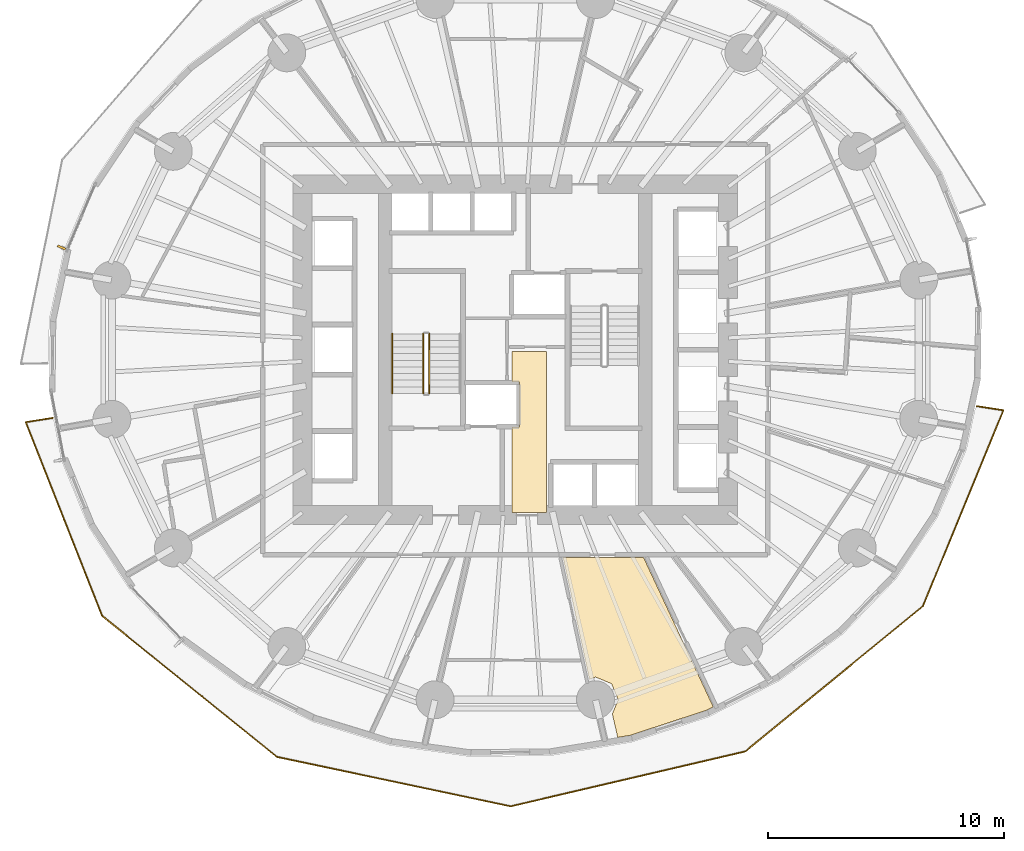
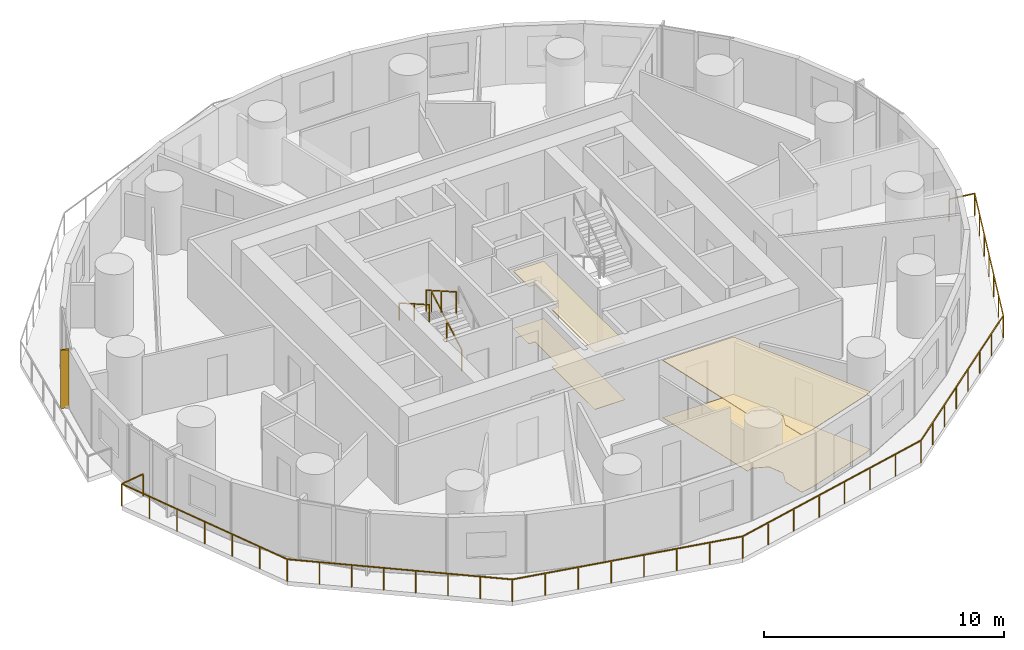
# One storey, part 12 of 14: 4 coverings, 4 railings, 1 shading device.
"""IFC4 building model written with IfcOpenShell, lengths in metres."""

from ifc_helpers import new_model, si_unit, direction, frame, origin, origin_2d, place, context, subcontext, project, spatial, polyline, rectangle, outline, extrude, material, layer, layer_set, type_object, element, save


model = new_model("IFC4")

# Units and contexts
model_context = context("Model", 3, precision=1e-05, world=origin(), true_north=direction((0.0, 1.0)))
body_context = subcontext(model_context, "Body", "Model", "MODEL_VIEW")
ifc_project = project(units=[si_unit("LENGTHUNIT", "METRE"), si_unit("AREAUNIT", "SQUARE_METRE"), si_unit("VOLUMEUNIT", "CUBIC_METRE"), si_unit("PLANEANGLEUNIT", "RADIAN"), si_unit("MASSUNIT", "GRAM", prefix="KILO")], contexts=[model_context])

# Site, building, storey
site_placement = place(None, origin())
site = spatial("IfcSite", under=ifc_project, at=site_placement, CompositionType="ELEMENT")
building_placement = place(site_placement, origin())
building = spatial("IfcBuilding", under=site, at=building_placement, Name="Veldorim Arch Residences", CompositionType="ELEMENT")
storey_placement = place(building_placement, frame((0.0, 0.0, 28.0)))
storey = spatial("IfcBuildingStorey", under=building, at=storey_placement, Name="L07", CompositionType="ELEMENT", Elevation=28.0)

# Railings
ifc_material_1 = material(Name="Aluminium", Category="aluminium")
railing_type_1 = type_object("IfcRailingType", Name="Balcony & Terrace Laminated Glass Balustrade 1150", PredefinedType="BALUSTRADE", material=ifc_material_1)
railing_1_placement = place(storey_placement, frame((12.4228515625, 21.111572265625, 0.0)))
element("IfcRailing", 1, at=railing_1_placement, inside=storey, type_object=railing_type_1, Name="L07 crescent balcony safety balustrade B", PredefinedType="BALUSTRADE", context=body_context, shape_type="SweptSolid", body=[
    extrude(rectangle(XDim=0.048095703125, YDim=0.048095703125, at=origin_2d()), frame((0.0, 0.0, 1.1259765625), z_axis=(-0.987948191268, -0.154784919715, 0.0), x_axis=(0.154784919715, -0.987948191268, 0.0)), (0.0, 0.0, 1.0), 1.14990234375),
    extrude(rectangle(XDim=0.048095703125, YDim=0.048095703125, at=origin_2d()), frame((-1.135986328125, -0.177978515625, 1.1259765625), z_axis=(0.367140674541, -0.930165428888, 0.0), x_axis=(0.930165428888, 0.367140674541, 0.0)), (0.0, 0.0, 1.0), 8.81298828125),
    extrude(rectangle(XDim=0.048095703125, YDim=0.048095703125, at=origin_2d()), frame((2.099609375, -8.37548828125, 1.1259765625), z_axis=(0.778383472333, -0.627789112679, 0.0), x_axis=(0.627789112679, 0.778383472333, 0.0)), (0.0, 0.0, 1.0), 9.501708984375),
    extrude(rectangle(XDim=0.048095703125, YDim=0.048095703125, at=origin_2d()), frame((9.49560546875, -14.340576171875, 1.1259765625), z_axis=(0.978364564789, -0.206888323413, 0.0), x_axis=(0.206888323413, 0.978364564789, 0.0)), (0.0, 0.0, 1.0), 10.104736328125),
    extrude(rectangle(XDim=0.048095703125, YDim=0.048095703125, at=origin_2d()), frame((19.3818359375, -16.43115234375, 1.1259765625), z_axis=(0.973694960204, 0.227855490331, 0.0), x_axis=(-0.227855490331, 0.973694960204, 0.0)), (0.0, 0.0, 1.0), 10.197265625),
    extrude(rectangle(XDim=0.048095703125, YDim=0.048095703125, at=origin_2d()), frame((29.310791015625, -14.107666015625, 1.1259765625), z_axis=(0.774053652319, 0.633120007054, 0.0), x_axis=(-0.633120007054, 0.774053652319, 0.0)), (0.0, 0.0, 1.0), 9.707763671875),
    extrude(rectangle(XDim=0.048095703125, YDim=0.048095703125, at=origin_2d()), frame((36.8251953125, -7.96142578125, 1.1259765625), z_axis=(0.380061666952, 0.924961150165, 0.0), x_axis=(-0.924961150165, 0.380061666952, 0.0)), (0.0, 0.0, 1.0), 8.959228515625),
    extrude(rectangle(XDim=0.048095703125, YDim=0.048095703125, at=origin_2d()), frame((40.230224609375, 0.325439453125, 1.1259765625), z_axis=(-0.988413381806, 0.151785989689, 0.0), x_axis=(-0.151785989689, -0.988413381806, 0.0)), (0.0, 0.0, 1.0), 1.150146484375),
    extrude(rectangle(XDim=0.0419921875, YDim=0.0419921875, at=origin_2d()), origin(), (0.0, 0.0, 1.0), 1.101806640625),
    extrude(rectangle(XDim=0.0419921875, YDim=0.0419921875, at=origin_2d()), frame((-1.135986328125, -0.177978515625, 0.0)), (0.0, 0.0, 1.0), 1.101806640625),
    extrude(rectangle(XDim=0.0419921875, YDim=0.0419921875, at=origin_2d()), frame((-0.5966796875, -1.544189453125, 0.0)), (0.0, 0.0, 1.0), 1.101806640625),
    extrude(rectangle(XDim=0.0419921875, YDim=0.0419921875, at=origin_2d()), frame((-0.057373046875, -2.910400390625, 0.0)), (0.0, 0.0, 1.0), 1.101806640625),
    extrude(rectangle(XDim=0.0419921875, YDim=0.0419921875, at=origin_2d()), frame((0.48193359375, -4.27685546875, 0.0)), (0.0, 0.0, 1.0), 1.101806640625),
    extrude(rectangle(XDim=0.0419921875, YDim=0.0419921875, at=origin_2d()), frame((1.02099609375, -5.64306640625, 0.0)), (0.0, 0.0, 1.0), 1.101806640625),
    extrude(rectangle(XDim=0.0419921875, YDim=0.0419921875, at=origin_2d()), frame((1.560302734375, -7.00927734375, 0.0)), (0.0, 0.0, 1.0), 1.101806640625),
    extrude(rectangle(XDim=0.0419921875, YDim=0.0419921875, at=origin_2d()), frame((2.099609375, -8.37548828125, 0.0)), (0.0, 0.0, 1.0), 1.101806640625),
    extrude(rectangle(XDim=0.0419921875, YDim=0.0419921875, at=origin_2d()), frame((3.15625, -9.2275390625, 0.0)), (0.0, 0.0, 1.0), 1.101806640625),
    extrude(rectangle(XDim=0.0419921875, YDim=0.0419921875, at=origin_2d()), frame((4.212646484375, -10.079833984375, 0.0)), (0.0, 0.0, 1.0), 1.101806640625),
    extrude(rectangle(XDim=0.0419921875, YDim=0.0419921875, at=origin_2d()), frame((5.269287109375, -10.931884765625, 0.0)), (0.0, 0.0, 1.0), 1.101806640625),
    extrude(rectangle(XDim=0.0419921875, YDim=0.0419921875, at=origin_2d()), frame((6.325927734375, -11.7841796875, 0.0)), (0.0, 0.0, 1.0), 1.101806640625),
    extrude(rectangle(XDim=0.0419921875, YDim=0.0419921875, at=origin_2d()), frame((7.382568359375, -12.63623046875, 0.0)), (0.0, 0.0, 1.0), 1.101806640625),
    extrude(rectangle(XDim=0.0419921875, YDim=0.0419921875, at=origin_2d()), frame((8.43896484375, -13.488525390625, 0.0)), (0.0, 0.0, 1.0), 1.101806640625),
    extrude(rectangle(XDim=0.0419921875, YDim=0.0419921875, at=origin_2d()), frame((9.49560546875, -14.340576171875, 0.0)), (0.0, 0.0, 1.0), 1.101806640625),
    extrude(rectangle(XDim=0.0419921875, YDim=0.0419921875, at=origin_2d()), frame((10.907958984375, -14.63916015625, 0.0)), (0.0, 0.0, 1.0), 1.101806640625),
    extrude(rectangle(XDim=0.0419921875, YDim=0.0419921875, at=origin_2d()), frame((12.3203125, -14.93798828125, 0.0)), (0.0, 0.0, 1.0), 1.101806640625),
    extrude(rectangle(XDim=0.0419921875, YDim=0.0419921875, at=origin_2d()), frame((13.732666015625, -15.236572265625, 0.0)), (0.0, 0.0, 1.0), 1.101806640625),
    extrude(rectangle(XDim=0.0419921875, YDim=0.0419921875, at=origin_2d()), frame((15.144775390625, -15.53515625, 0.0)), (0.0, 0.0, 1.0), 1.101806640625),
    extrude(rectangle(XDim=0.0419921875, YDim=0.0419921875, at=origin_2d()), frame((16.55712890625, -15.833740234375, 0.0)), (0.0, 0.0, 1.0), 1.101806640625),
    extrude(rectangle(XDim=0.0419921875, YDim=0.0419921875, at=origin_2d()), frame((17.969482421875, -16.132568359375, 0.0)), (0.0, 0.0, 1.0), 1.101806640625),
    extrude(rectangle(XDim=0.0419921875, YDim=0.0419921875, at=origin_2d()), frame((19.3818359375, -16.43115234375, 0.0)), (0.0, 0.0, 1.0), 1.101806640625),
    extrude(rectangle(XDim=0.0419921875, YDim=0.0419921875, at=origin_2d()), frame((20.80029296875, -16.09912109375, 0.0)), (0.0, 0.0, 1.0), 1.101806640625),
    extrude(rectangle(XDim=0.0419921875, YDim=0.0419921875, at=origin_2d()), frame((22.21875, -15.767333984375, 0.0)), (0.0, 0.0, 1.0), 1.101806640625),
    extrude(rectangle(XDim=0.0419921875, YDim=0.0419921875, at=origin_2d()), frame((23.63720703125, -15.435302734375, 0.0)), (0.0, 0.0, 1.0), 1.101806640625),
    extrude(rectangle(XDim=0.0419921875, YDim=0.0419921875, at=origin_2d()), frame((25.055419921875, -15.103515625, 0.0)), (0.0, 0.0, 1.0), 1.101806640625),
    extrude(rectangle(XDim=0.0419921875, YDim=0.0419921875, at=origin_2d()), frame((26.473876953125, -14.771484375, 0.0)), (0.0, 0.0, 1.0), 1.101806640625),
    extrude(rectangle(XDim=0.0419921875, YDim=0.0419921875, at=origin_2d()), frame((27.892333984375, -14.439697265625, 0.0)), (0.0, 0.0, 1.0), 1.101806640625),
    extrude(rectangle(XDim=0.0419921875, YDim=0.0419921875, at=origin_2d()), frame((29.310791015625, -14.107666015625, 0.0)), (0.0, 0.0, 1.0), 1.101806640625),
    extrude(rectangle(XDim=0.0419921875, YDim=0.0419921875, at=origin_2d()), frame((30.38427734375, -13.229736328125, 0.0)), (0.0, 0.0, 1.0), 1.101806640625),
    extrude(rectangle(XDim=0.0419921875, YDim=0.0419921875, at=origin_2d()), frame((31.457763671875, -12.3515625, 0.0)), (0.0, 0.0, 1.0), 1.101806640625),
    extrude(rectangle(XDim=0.0419921875, YDim=0.0419921875, at=origin_2d()), frame((32.53125, -11.4736328125, 0.0)), (0.0, 0.0, 1.0), 1.101806640625),
    extrude(rectangle(XDim=0.0419921875, YDim=0.0419921875, at=origin_2d()), frame((33.604736328125, -10.595458984375, 0.0)), (0.0, 0.0, 1.0), 1.101806640625),
    extrude(rectangle(XDim=0.0419921875, YDim=0.0419921875, at=origin_2d()), frame((34.67822265625, -9.717529296875, 0.0)), (0.0, 0.0, 1.0), 1.101806640625),
    extrude(rectangle(XDim=0.0419921875, YDim=0.0419921875, at=origin_2d()), frame((35.751708984375, -8.83935546875, 0.0)), (0.0, 0.0, 1.0), 1.101806640625),
    extrude(rectangle(XDim=0.0419921875, YDim=0.0419921875, at=origin_2d()), frame((36.8251953125, -7.96142578125, 0.0)), (0.0, 0.0, 1.0), 1.101806640625),
    extrude(rectangle(XDim=0.0419921875, YDim=0.0419921875, at=origin_2d()), frame((37.392578125, -6.580322265625, 0.0)), (0.0, 0.0, 1.0), 1.101806640625),
    extrude(rectangle(XDim=0.0419921875, YDim=0.0419921875, at=origin_2d()), frame((37.960205078125, -5.19921875, 0.0)), (0.0, 0.0, 1.0), 1.101806640625),
    extrude(rectangle(XDim=0.0419921875, YDim=0.0419921875, at=origin_2d()), frame((38.52783203125, -3.81787109375, 0.0)), (0.0, 0.0, 1.0), 1.101806640625),
    extrude(rectangle(XDim=0.0419921875, YDim=0.0419921875, at=origin_2d()), frame((39.09521484375, -2.436767578125, 0.0)), (0.0, 0.0, 1.0), 1.101806640625),
    extrude(rectangle(XDim=0.0419921875, YDim=0.0419921875, at=origin_2d()), frame((39.66259765625, -1.0556640625, 0.0)), (0.0, 0.0, 1.0), 1.101806640625),
    extrude(rectangle(XDim=0.0419921875, YDim=0.0419921875, at=origin_2d()), frame((40.230224609375, 0.325439453125, 0.0)), (0.0, 0.0, 1.0), 1.101806640625),
    extrude(rectangle(XDim=0.0419921875, YDim=0.0419921875, at=origin_2d()), frame((39.093505859375, 0.5, 0.0)), (0.0, 0.0, 1.0), 1.101806640625),
])
ifc_material_2 = material(Name="Steel S355", Category="steel")
railing_type_2 = type_object("IfcRailingType", Name="Galvanised Steel Stair Safety Guardrail 1100", PredefinedType="GUARDRAIL", material=ifc_material_2)
railing_2_placement = place(storey_placement, frame((28.360107421875, 22.14990234375, 0.159912109375)))
element("IfcRailing", 2, at=railing_2_placement, inside=storey, type_object=railing_type_2, Name="L07 ST-1 stair guard 1", PredefinedType="GUARDRAIL", context=body_context, shape_type="SweptSolid", body=[
    extrude(rectangle(XDim=0.048095703125, YDim=0.048095703125, at=origin_2d()), frame((0.0, 0.0, 1.076171875), z_axis=(0.0, 0.868217259934, 0.496184229447), x_axis=(-1.0, 0.0, 0.0)), (0.0, 0.0, 1.0), 2.902587890625),
    extrude(rectangle(XDim=0.0419921875, YDim=0.0419921875, at=origin_2d()), origin(), (0.0, 0.0, 1.0), 1.052001953125),
    extrude(rectangle(XDim=0.0419921875, YDim=0.0419921875, at=origin_2d()), frame((0.0, 1.260009765625, 0.72021484375)), (0.0, 0.0, 1.0), 1.052001953125),
    extrude(rectangle(XDim=0.0419921875, YDim=0.0419921875, at=origin_2d()), frame((0.0, 2.52001953125, 1.440185546875)), (0.0, 0.0, 1.0), 1.052001953125),
])
railing_3_placement = place(storey_placement, frame((28.10009765625, 24.669921875, 1.760009765625)))
element("IfcRailing", 3, at=railing_3_placement, inside=storey, type_object=railing_type_2, Name="L07 ST-1 stair guard 3", PredefinedType="GUARDRAIL", context=body_context, shape_type="SweptSolid", body=[
    extrude(rectangle(XDim=0.048095703125, YDim=0.048095703125, at=origin_2d()), frame((0.0, 0.0, 1.076171875), z_axis=(0.0, -0.868253494771, 0.496120820787), x_axis=(1.0, 0.0, 0.0)), (0.0, 0.0, 1.0), 2.90234375),
    extrude(rectangle(XDim=0.0419921875, YDim=0.0419921875, at=origin_2d()), origin(), (0.0, 0.0, 1.0), 1.052001953125),
    extrude(rectangle(XDim=0.0419921875, YDim=0.0419921875, at=origin_2d()), frame((0.0, -1.260009765625, 0.719970703125)), (0.0, 0.0, 1.0), 1.052001953125),
    extrude(rectangle(XDim=0.0419921875, YDim=0.0419921875, at=origin_2d()), frame((0.0, -2.52001953125, 1.43994140625)), (0.0, 0.0, 1.0), 1.052001953125),
])

# Coverings
ifc_material_3 = material(Name="Acoustic Gypsum & Mineral Fibre", Category="gypsum")
ifc_layer_1 = layer(ifc_material_3, 0.034912109375, Name="Perforated Acoustic Mineral-Fibre Ceiling 35")
ifc_layer_set_1 = layer_set([ifc_layer_1], Name="Acoustic Gypsum & Mineral Fibre")
covering_type_1 = type_object("IfcCoveringType", Name="Perforated Acoustic Mineral-Fibre Ceiling 35", PredefinedType="CEILING", material=ifc_layer_set_1)
covering_1_placement = place(storey_placement, frame((0.0, 0.0, 2.905029296875)))
element("IfcCovering", 4, at=covering_1_placement, inside=storey, type_object=covering_type_1, Name="L07 acoustic suspended ceiling 01", PredefinedType="CEILING", context=body_context, shape_type="SweptSolid", body=[
    extrude(outline(polyline([(33.330078125, 23.929931640625), (33.330078125, 17.1201171875), (31.8701171875, 17.1201171875), (31.8701171875, 20.735107421875), (32.169921875, 20.735107421875), (32.169921875, 22.625), (31.8701171875, 22.625), (31.8701171875, 23.929931640625), (33.330078125, 23.929931640625)])), origin(), (0.0, 0.0, 1.0), 0.034912109375),
])
covering_2_placement = place(storey_placement, frame((0.0, 0.0, 2.905029296875)))
element("IfcCovering", 5, at=covering_2_placement, inside=storey, type_object=covering_type_1, Name="L07 acoustic suspended ceiling 03", PredefinedType="CEILING", context=body_context, shape_type="SweptSolid", body=[
    extrude(outline(polyline([(36.3544921875, 9.190185546875), (36.0732421875, 9.868896484375), (35.39453125, 10.14990234375), (35.14111328125, 10.044921875), (34.026123046875, 15.199951171875), (37.430908203125, 15.199951171875), (40.373046875, 8.892822265625), (40.0654296875, 8.7353515625), (36.85107421875, 7.68212890625), (36.334228515625, 7.5966796875), (36.1064453125, 8.59130859375), (36.3544921875, 9.190185546875)])), origin(), (0.0, 0.0, 1.0), 0.034912109375),
])
ifc_material_4 = material(Name="Porcelain Ceramic Tile", Category="ceramic")
ifc_layer_2 = layer(ifc_material_4, 0.02001953125, Name="Slip-Resistant Porcelain & Vinyl Floor Finish 20")
ifc_layer_set_2 = layer_set([ifc_layer_2], Name="Porcelain Ceramic Tile")
covering_type_2 = type_object("IfcCoveringType", Name="Slip-Resistant Porcelain & Vinyl Floor Finish 20", PredefinedType="FLOORING", material=ifc_layer_set_2)
covering_3_placement = place(storey_placement, origin())
element("IfcCovering", 6, at=covering_3_placement, inside=storey, type_object=covering_type_2, Name="L07 porcelain floor finish 01", PredefinedType="FLOORING", context=body_context, shape_type="SweptSolid", body=[
    extrude(outline(polyline([(33.330078125, 23.929931640625), (33.330078125, 17.1201171875), (31.8701171875, 17.1201171875), (31.8701171875, 20.735107421875), (32.169921875, 20.735107421875), (32.169921875, 22.625), (31.8701171875, 22.625), (31.8701171875, 23.929931640625), (33.330078125, 23.929931640625)])), origin(), (0.0, 0.0, 1.0), 0.02001953125),
])
covering_4_placement = place(storey_placement, origin())
element("IfcCovering", 7, at=covering_4_placement, inside=storey, type_object=covering_type_2, Name="L07 porcelain floor finish 03", PredefinedType="FLOORING", context=body_context, shape_type="SweptSolid", body=[
    extrude(outline(polyline([(36.3544921875, 9.190185546875), (36.0732421875, 9.868896484375), (35.39453125, 10.14990234375), (35.14111328125, 10.044921875), (34.026123046875, 15.199951171875), (37.430908203125, 15.199951171875), (40.373046875, 8.892822265625), (40.0654296875, 8.7353515625), (36.85107421875, 7.68212890625), (36.334228515625, 7.5966796875), (36.1064453125, 8.59130859375), (36.3544921875, 9.190185546875)])), origin(), (0.0, 0.0, 1.0), 0.02001953125),
])

# Railing
ifc_material_5 = material(Name="Stainless Steel", Category="steel")
railing_type_3 = type_object("IfcRailingType", Name="Tubular Steel Continuous Wall Handrail 900", PredefinedType="HANDRAIL", material=ifc_material_5)
railing_4_placement = place(storey_placement, frame((26.800048828125, 24.669921875, 1.760009765625)))
element("IfcRailing", 8, at=railing_4_placement, inside=storey, type_object=railing_type_3, Name="L07 ST-1 stair handrail 2", PredefinedType="HANDRAIL", context=body_context, shape_type="SweptSolid", body=[
    extrude(rectangle(XDim=0.048095703125, YDim=0.048095703125, at=origin_2d()), frame((0.0, 0.0, 0.8759765625), z_axis=(0.0, -0.868253494771, 0.496120820787), x_axis=(1.0, 0.0, 0.0)), (0.0, 0.0, 1.0), 2.90234375),
    extrude(rectangle(XDim=0.0419921875, YDim=0.0419921875, at=origin_2d()), origin(), (0.0, 0.0, 1.0), 0.851806640625),
    extrude(rectangle(XDim=0.0419921875, YDim=0.0419921875, at=origin_2d()), frame((0.0, -1.260009765625, 0.719970703125)), (0.0, 0.0, 1.0), 0.851806640625),
    extrude(rectangle(XDim=0.0419921875, YDim=0.0419921875, at=origin_2d()), frame((0.0, -2.52001953125, 1.43994140625)), (0.0, 0.0, 1.0), 0.851806640625),
])

# Shading device
ifc_material_6 = material(Name="Terracotta Ceramic", Category="masonry")
ifc_layer_3 = layer(ifc_material_6, 0.090087890625, Name="Vertical Extruded Terracotta Baguette Sun-Shading Fin")
ifc_layer_set_3 = layer_set([ifc_layer_3], Name="Terracotta Ceramic")
shading_device_type = type_object("IfcShadingDeviceType", Name="Vertical Extruded Terracotta Baguette Sun-Shading Fin", PredefinedType="USERDEFINED", material=ifc_layer_set_3)
shading_device_placement = place(storey_placement, frame((12.803466796875, 28.3232421875, 0.0), z_axis=(0.0, 0.0, 1.0), x_axis=(0.393781484212, 0.919204081089, 0.0)))
element("IfcShadingDevice", 9, at=shading_device_placement, inside=storey, type_object=shading_device_type, Name="L07 vertical terracotta sun-shading fin 16", ObjectType="FIN", PredefinedType="USERDEFINED", context=body_context, shape_type="SweptSolid", body=[
    extrude(rectangle(XDim=0.090087890625, YDim=0.360107421875, at=origin_2d()), origin(), (0.0, 0.0, 1.0), 2.9599609375),
])

save(model, "model.ifc")
